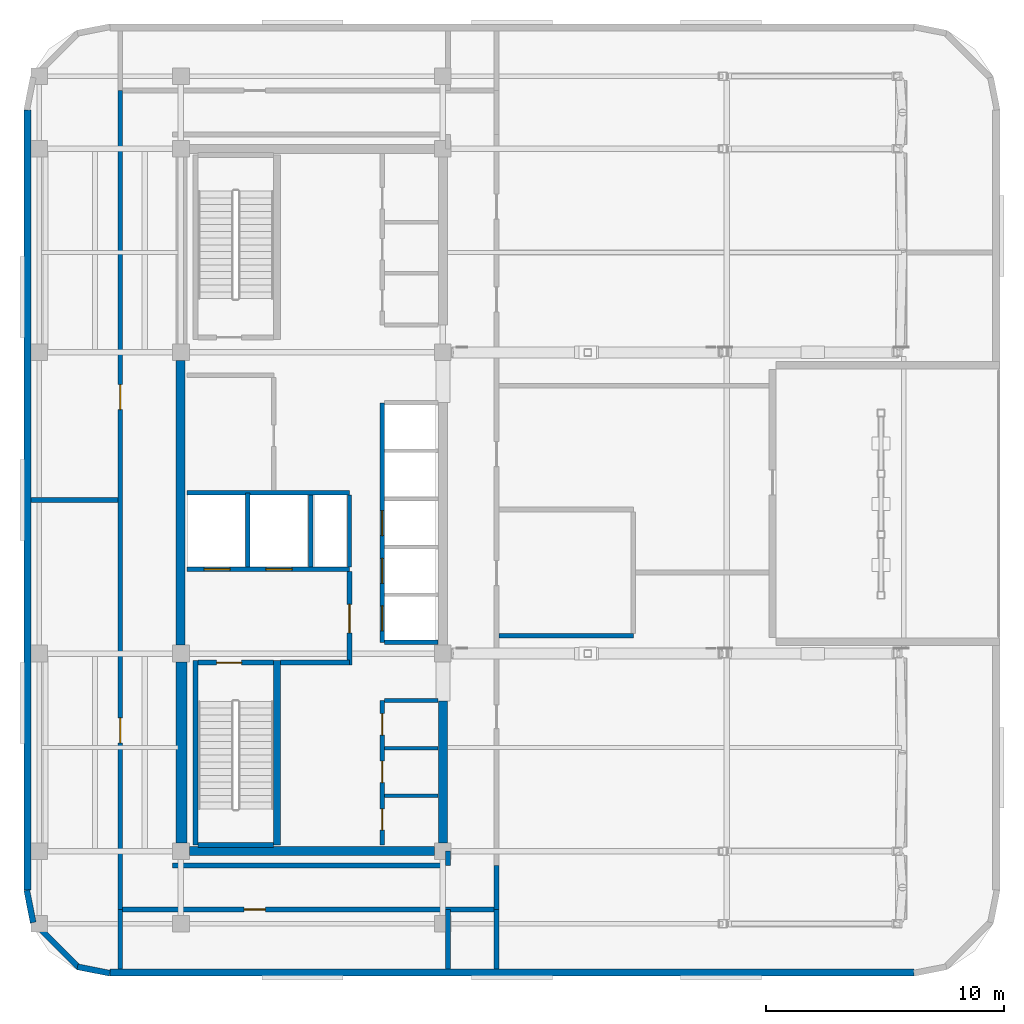
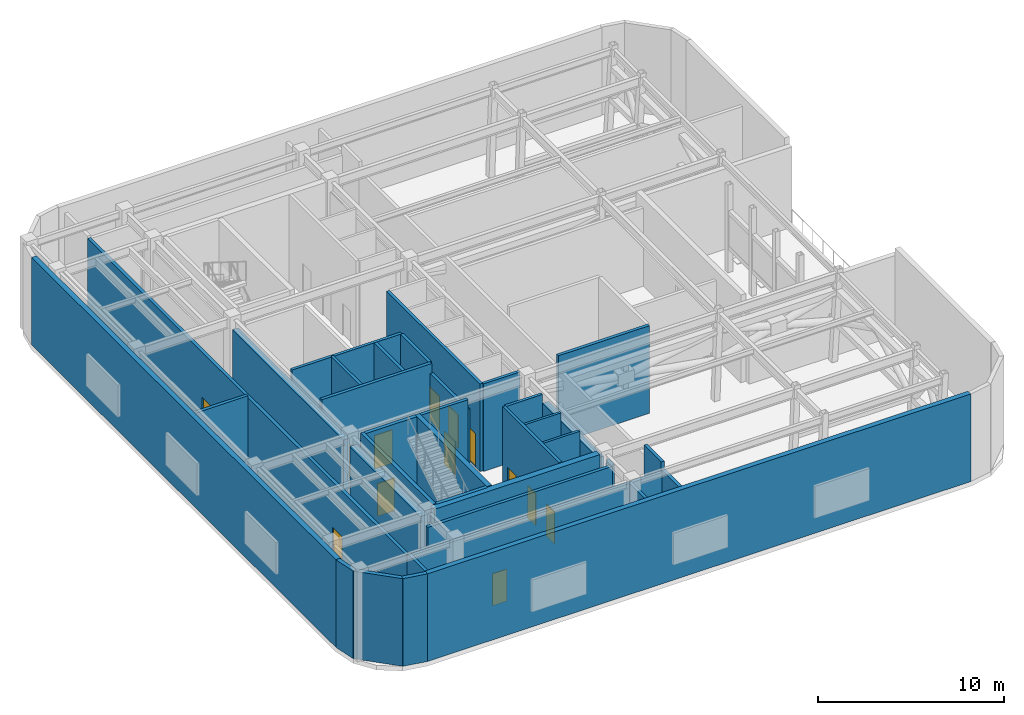
# One storey, part 6 of 12: 36 walls, 13 doors, 13 openings.
"""IFC4 building model written with IfcOpenShell, lengths in metres."""

from ifc_helpers import new_model, si_unit, direction, frame, frame_2d, origin, place, context, subcontext, project, spatial, rectangle, extrude, material, layer, layer_set, type_object, element, fill, save


model = new_model("IFC4")

# Units and contexts
model_context = context("Model", 3, precision=1e-05, world=origin(), true_north=direction((0.0, 1.0)))
body_context = subcontext(model_context, "Body", "Model", "MODEL_VIEW")
ifc_project = project(units=[si_unit("LENGTHUNIT", "METRE"), si_unit("AREAUNIT", "SQUARE_METRE"), si_unit("VOLUMEUNIT", "CUBIC_METRE"), si_unit("PLANEANGLEUNIT", "RADIAN"), si_unit("MASSUNIT", "GRAM", prefix="KILO")], contexts=[model_context])

# Site, building, storey
site_placement = place(None, origin())
site = spatial("IfcSite", under=ifc_project, at=site_placement, CompositionType="ELEMENT")
building_placement = place(site_placement, origin())
building = spatial("IfcBuilding", under=site, at=building_placement, Name="Ochreholt Gables", CompositionType="ELEMENT")
storey_placement = place(building_placement, frame((0.0, 0.0, 199.800048828125)))
storey = spatial("IfcBuildingStorey", under=building, at=storey_placement, Name="L52", CompositionType="ELEMENT", Elevation=199.800048828125)

# Walls
ifc_material_1 = material(Name="Concrete 50 MPa", Category="concrete")
ifc_layer_1 = layer(ifc_material_1, 0.3798828125, Name="Concrete 50 MPa")
ifc_layer_set_1 = layer_set([ifc_layer_1], Name="Concrete 50 MPa")
wall_type_1 = type_object("IfcWallType", Name="WALL-CSW-380", PredefinedType="SHEAR", material=ifc_layer_set_1)
wall_1_placement = place(storey_placement, frame((24.18994140625, 17.89990234375, 0.0), z_axis=(0.0, 0.0, 1.0), x_axis=(0.0, 1.0, 0.0)))
element("IfcWall", 1, at=wall_1_placement, inside=storey, type_object=wall_type_1, Name="L52 Core West Shear Wall WM", PredefinedType="SHEAR", context=body_context, shape_type="SweptSolid", body=[
    extrude(rectangle(XDim=11.9501953125, YDim=0.3798828125, at=frame_2d((5.97509765625, 0.0))), origin(), (0.0, 0.0, 1.0), 5.14794921875),
])
wall_2_placement = place(storey_placement, frame((35.2099609375, 9.60009765625, 0.0), z_axis=(0.0, 0.0, 1.0), x_axis=(0.0, 1.0, 0.0)))
element("IfcWall", 2, at=wall_2_placement, inside=storey, type_object=wall_type_1, Name="L52 Core South-East Shear Wall", PredefinedType="SHEAR", context=body_context, shape_type="SweptSolid", body=[
    extrude(rectangle(XDim=5.949951171875, YDim=0.3798828125, at=frame_2d((2.97509765625, 0.0))), origin(), (0.0, 0.0, 1.0), 5.14794921875),
])
wall_3_placement = place(storey_placement, frame((24.550048828125, 9.25, 0.0), z_axis=(0.0, 0.0, 1.0), x_axis=(1.0, 0.0, 0.0)))
element("IfcWall", 3, at=wall_3_placement, inside=storey, type_object=wall_type_1, Name="L52 Core South Shear Wall", PredefinedType="SHEAR", context=body_context, shape_type="SweptSolid", body=[
    extrude(rectangle(XDim=10.300048828125, YDim=0.3798828125, at=frame_2d((5.14990234375, 0.0))), origin(), (0.0, 0.0, 1.0), 5.760009765625),
])
ifc_material_2 = material(Name="Concrete 60 MPa", Category="concrete")
ifc_layer_2 = layer(ifc_material_2, 0.449951171875, Name="Concrete 60 MPa")
ifc_layer_set_2 = layer_set([ifc_layer_2], Name="Concrete 60 MPa")
wall_type_2 = type_object("IfcWallType", Name="WALL-CSW-450", PredefinedType="SHEAR", material=ifc_layer_set_2)
wall_4_placement = place(storey_placement, frame((24.22509765625, 9.60009765625, 0.0), z_axis=(0.0, 0.0, 1.0), x_axis=(0.0, 1.0, 0.0)))
element("IfcWall", 4, at=wall_4_placement, inside=storey, type_object=wall_type_2, Name="L52 Core West Shear Wall WS", PredefinedType="SHEAR", context=body_context, shape_type="SweptSolid", body=[
    extrude(rectangle(XDim=7.599853515625, YDim=0.449951171875, at=frame_2d((3.7998046875, 0.0))), origin(), (0.0, 0.0, 1.0), 5.14794921875),
])
ifc_material_3 = material(Name="Precast concrete 40 MPa", Category="concrete")
ifc_layer_3 = layer(ifc_material_3, 0.25, Name="Precast concrete 40 MPa")
ifc_layer_set_3 = layer_set([ifc_layer_3], Name="Precast concrete 40 MPa")
wall_type_3 = type_object("IfcWallType", Name="WALL-EXT-CNR", PredefinedType="SOLIDWALL", material=ifc_layer_set_3)
wall_5_placement = place(storey_placement, frame((17.72412109375, 7.616455078125, 0.0), z_axis=(0.0, 0.0, 1.0), x_axis=(0.195135625965, -0.9807762678, 0.0)))
element("IfcWall", 5, at=wall_5_placement, inside=storey, type_object=wall_type_3, Name="L52 Rounded Corner Wall SW-1", PredefinedType="SOLIDWALL", context=body_context, shape_type="SweptSolid", body=[
    extrude(rectangle(XDim=1.388671875, YDim=0.25, at=frame_2d((0.6943359375, 0.0))), origin(), (0.0, 0.0, 1.0), 5.760009765625),
])
wall_6_placement = place(storey_placement, frame((17.968017578125, 6.304931640625, 0.0), z_axis=(0.0, 0.0, 1.0), x_axis=(0.707106781187, -0.707106781187, 0.0)))
element("IfcWall", 6, at=wall_6_placement, inside=storey, type_object=wall_type_3, Name="L52 Rounded Corner Wall SW-2", PredefinedType="SOLIDWALL", context=body_context, shape_type="SweptSolid", body=[
    extrude(rectangle(XDim=2.7392578125, YDim=0.25, at=frame_2d((1.36962890625, 0.0))), origin(), (0.0, 0.0, 1.0), 5.760009765625),
])
wall_7_placement = place(storey_placement, frame((19.8544921875, 4.39501953125, 0.0), z_axis=(0.0, 0.0, 1.0), x_axis=(0.980809899341, -0.19496651342, 0.0)))
element("IfcWall", 7, at=wall_7_placement, inside=storey, type_object=wall_type_3, Name="L52 Rounded Corner Wall SW-3", PredefinedType="SOLIDWALL", context=body_context, shape_type="SweptSolid", body=[
    extrude(rectangle(XDim=1.388671875, YDim=0.25, at=frame_2d((0.6943359375, 0.0))), origin(), (0.0, 0.0, 1.0), 5.760009765625),
])
ifc_material_4 = material(Name="Precast concrete 50 MPa", Category="concrete")
ifc_layer_4 = layer(ifc_material_4, 0.31005859375, Name="Precast concrete 50 MPa")
ifc_layer_set_4 = layer_set([ifc_layer_4], Name="Precast concrete 50 MPa")
wall_type_4 = type_object("IfcWallType", Name="WALL-EXT-PLT", PredefinedType="SOLIDWALL", material=ifc_layer_set_4)
wall_8_placement = place(storey_placement, frame((21.219970703125, 4.155029296875, 0.0), z_axis=(0.0, 0.0, 1.0), x_axis=(1.0, 0.0, 0.0)))
element("IfcWall", 8, at=wall_8_placement, inside=storey, type_object=wall_type_4, Name="L52 South Plant Facade Wall", PredefinedType="SOLIDWALL", context=body_context, shape_type="SweptSolid", body=[
    extrude(rectangle(XDim=33.760009765625, YDim=0.31005859375, at=frame_2d((16.8798828125, 0.0))), origin(), (0.0, 0.0, 1.0), 5.760009765625),
])
wall_9_placement = place(storey_placement, frame((17.7548828125, 40.3798828125, 0.0), z_axis=(0.0, 0.0, 1.0), x_axis=(0.0, -1.0, 0.0)))
element("IfcWall", 9, at=wall_9_placement, inside=storey, type_object=wall_type_4, Name="L52 West Plant Facade Wall", PredefinedType="SOLIDWALL", context=body_context, shape_type="SweptSolid", body=[
    extrude(rectangle(XDim=32.759765625, YDim=0.31005859375, at=frame_2d((16.3798828125, 0.0))), origin(), (0.0, 0.0, 1.0), 5.760009765625),
])

# Wall, openings, doors
ifc_material_5 = material(Name="Concrete 40 MPa", Category="concrete")
ifc_layer_5 = layer(ifc_material_5, 0.199951171875, Name="Concrete 40 MPa")
ifc_layer_set_5 = layer_set([ifc_layer_5], Name="Concrete 40 MPa")
wall_type_5 = type_object("IfcWallType", Name="WALL-INT-CF200", PredefinedType="STANDARD", material=ifc_layer_set_5)
wall_10_placement = place(storey_placement, frame((24.449951171875, 21.090087890625, 0.0), z_axis=(0.0, 0.0, 1.0), x_axis=(1.0, 0.0, 0.0)))
wall_10 = element("IfcWall", 10, at=wall_10_placement, inside=storey, type_object=wall_type_5, Name="L52 Interior Wall WI-FFN-L52", PredefinedType="STANDARD", context=body_context, shape_type="SweptSolid", body=[
    extrude(rectangle(XDim=6.830078125, YDim=0.199951171875, at=frame_2d((3.4150390625, 0.0))), origin(), (0.0, 0.0, 1.0), 5.760009765625),
])
opening_1_placement = place(wall_10_placement, frame((0.719970703125, 0.0, 0.0)))
opening_1 = element("IfcOpeningElement", 11, at=opening_1_placement, cuts=wall_10, Name="Opening LD-FF", PredefinedType="OPENING", context=body_context, shape_type="SweptSolid", body=[
    extrude(rectangle(XDim=1.10009765625, YDim=2.199951171875, at=frame_2d((0.550048828125, 1.10009765625))), frame((0.0, 0.10986328125, 0.0), z_axis=(0.0, -1.0, 0.0), x_axis=(1.0, 0.0, 0.0)), (0.0, 0.0, 1.0), 0.219970703125),
])
opening_2_placement = place(wall_10_placement, frame((3.320068359375, 0.0, 0.0)))
opening_2 = element("IfcOpeningElement", 12, at=opening_2_placement, cuts=wall_10, Name="Opening LD-FF", PredefinedType="OPENING", context=body_context, shape_type="SweptSolid", body=[
    extrude(rectangle(XDim=1.10009765625, YDim=2.199951171875, at=frame_2d((0.550048828125, 1.10009765625))), frame((0.0, 0.10986328125, 0.0), z_axis=(0.0, -1.0, 0.0), x_axis=(1.0, 0.0, 0.0)), (0.0, 0.0, 1.0), 0.219970703125),
])
ifc_material_6 = material(Name="Stainless Steel", Category="steel")
door_type_1 = type_object("IfcDoorType", Name="DR-LFT-FF1100", OperationType="NOTDEFINED", PredefinedType="DOOR", material=ifc_material_6)
door_1_placement = place(opening_1_placement, origin())
door_1 = element("IfcDoor", 13, at=door_1_placement, inside=storey, type_object=door_type_1, Name="L52 Door LD-FF1-L52", OperationType="SLIDING_TO_LEFT", OverallHeight=2.199951171875, OverallWidth=1.10009765625, PredefinedType="DOOR", context=body_context, shape_type="SweptSolid", body=[
    extrude(rectangle(XDim=1.10009765625, YDim=2.199951171875, at=frame_2d((0.550048828125, 1.10009765625))), frame((0.0, 0.02490234375, 0.0), z_axis=(0.0, -1.0, 0.0), x_axis=(1.0, 0.0, 0.0)), (0.0, 0.0, 1.0), 0.050048828125),
])
fill(opening_1, door_1)
door_2_placement = place(opening_2_placement, origin())
door_2 = element("IfcDoor", 14, at=door_2_placement, inside=storey, type_object=door_type_1, Name="L52 Door LD-FF2-L52", OperationType="SLIDING_TO_LEFT", OverallHeight=2.199951171875, OverallWidth=1.10009765625, PredefinedType="DOOR", context=body_context, shape_type="SweptSolid", body=[
    extrude(rectangle(XDim=1.10009765625, YDim=2.199951171875, at=frame_2d((0.550048828125, 1.10009765625))), frame((0.0, 0.02490234375, 0.0), z_axis=(0.0, -1.0, 0.0), x_axis=(1.0, 0.0, 0.0)), (0.0, 0.0, 1.0), 0.050048828125),
])
fill(opening_2, door_2)

# Wall
wall_11_placement = place(storey_placement, frame((28.3798828125, 17.169921875, 0.0), z_axis=(0.0, 0.0, 1.0), x_axis=(1.0, 0.0, 0.0)))
element("IfcWall", 15, at=wall_11_placement, inside=storey, type_object=wall_type_5, Name="L52 Interior Wall WI-FFS-L52", PredefinedType="STANDARD", context=body_context, shape_type="SweptSolid", body=[
    extrude(rectangle(XDim=2.900146484375, YDim=0.199951171875, at=frame_2d((1.4501953125, 0.0))), origin(), (0.0, 0.0, 1.0), 5.760009765625),
])

# Wall, opening, door
wall_12_placement = place(storey_placement, frame((31.280029296875, 17.070068359375, 0.0), z_axis=(0.0, 0.0, 1.0), x_axis=(0.0, 1.0, 0.0)))
wall_12 = element("IfcWall", 16, at=wall_12_placement, inside=storey, type_object=wall_type_5, Name="L52 Interior Wall WI-FFE-L52", PredefinedType="STANDARD", context=body_context, shape_type="SweptSolid", body=[
    extrude(rectangle(XDim=3.919921875, YDim=0.199951171875, at=frame_2d((1.9599609375, 0.0))), origin(), (0.0, 0.0, 1.0), 5.1298828125),
])
opening_3_placement = place(wall_12_placement, frame((1.35009765625, 0.0, 0.0)))
opening_3 = element("IfcOpeningElement", 17, at=opening_3_placement, cuts=wall_12, Name="Opening D-FFL", PredefinedType="OPENING", context=body_context, shape_type="SweptSolid", body=[
    extrude(rectangle(XDim=1.199951171875, YDim=2.14990234375, at=frame_2d((0.60009765625, 1.074951171875))), frame((0.0, 0.10986328125, 0.0), z_axis=(0.0, -1.0, 0.0), x_axis=(1.0, 0.0, 0.0)), (0.0, 0.0, 1.0), 0.219970703125),
])
ifc_material_7 = material(Name="Hollow Metal Steel", Category="steel")
door_type_2 = type_object("IfcDoorType", Name="DR-INT-FFL1200", OperationType="NOTDEFINED", PredefinedType="DOOR", material=ifc_material_7)
door_3_placement = place(opening_3_placement, origin())
door_3 = element("IfcDoor", 18, at=door_3_placement, inside=storey, type_object=door_type_2, Name="L52 Door D-FFL-L52", OperationType="SINGLE_SWING_LEFT", OverallHeight=2.14990234375, OverallWidth=1.199951171875, PredefinedType="DOOR", context=body_context, shape_type="SweptSolid", body=[
    extrude(rectangle(XDim=1.199951171875, YDim=2.14990234375, at=frame_2d((0.60009765625, 1.074951171875))), frame((0.0, 0.02490234375, 0.0), z_axis=(0.0, -1.0, 0.0), x_axis=(1.0, 0.0, 0.0)), (0.0, 0.0, 1.0), 0.050048828125),
])
fill(opening_3, door_3)

# Walls
wall_13_placement = place(storey_placement, frame((37.449951171875, 6.800048828125, 0.0), z_axis=(0.0, 0.0, 1.0), x_axis=(0.0, 1.0, 0.0)))
element("IfcWall", 19, at=wall_13_placement, inside=storey, type_object=wall_type_5, Name="L52 Interior Wall WI-PLCES0-L52", PredefinedType="STANDARD", context=body_context, shape_type="SweptSolid", body=[
    extrude(rectangle(XDim=1.849853515625, YDim=0.199951171875, at=frame_2d((0.9248046875, 0.0))), origin(), (0.0, 0.0, 1.0), 5.760009765625),
])
wall_14_placement = place(storey_placement, frame((37.449951171875, 4.31005859375, 0.0), z_axis=(0.0, 0.0, 1.0), x_axis=(0.0, 1.0, 0.0)))
element("IfcWall", 20, at=wall_14_placement, inside=storey, type_object=wall_type_5, Name="L52 Interior Wall WI-PLCES1-L52", PredefinedType="STANDARD", context=body_context, shape_type="SweptSolid", body=[
    extrude(rectangle(XDim=2.489990234375, YDim=0.199951171875, at=frame_2d((1.2451171875, 0.0))), origin(), (0.0, 0.0, 1.0), 5.279052734375),
])
wall_15_placement = place(storey_placement, frame((35.419921875, 4.31005859375, 0.0), z_axis=(0.0, 0.0, 1.0), x_axis=(0.0, 1.0, 0.0)))
element("IfcWall", 21, at=wall_15_placement, inside=storey, type_object=wall_type_5, Name="L52 Interior Wall WI-PLCSW0-L52", PredefinedType="STANDARD", context=body_context, shape_type="SweptSolid", body=[
    extrude(rectangle(XDim=2.489990234375, YDim=0.199951171875, at=frame_2d((1.2451171875, 0.0))), origin(), (0.0, 0.0, 1.0), 5.1298828125),
])
wall_16_placement = place(storey_placement, frame((35.419921875, 8.64990234375, 0.0), z_axis=(0.0, 0.0, 1.0), x_axis=(0.0, 1.0, 0.0)))
element("IfcWall", 22, at=wall_16_placement, inside=storey, type_object=wall_type_5, Name="L52 Interior Wall WI-PLCSW1-L52", PredefinedType="STANDARD", context=body_context, shape_type="SweptSolid", body=[
    extrude(rectangle(XDim=0.60009765625, YDim=0.199951171875, at=frame_2d((0.300048828125, 0.0))), origin(), (0.0, 0.0, 1.0), 5.1298828125),
])
wall_17_placement = place(storey_placement, frame((37.550048828125, 18.300048828125, 0.0), z_axis=(0.0, 0.0, 1.0), x_axis=(1.0, 0.0, 0.0)))
element("IfcWall", 23, at=wall_17_placement, inside=storey, type_object=wall_type_5, Name="L52 Interior Wall WI-PLRFS-L52", PredefinedType="STANDARD", context=body_context, shape_type="SweptSolid", body=[
    extrude(rectangle(XDim=5.64990234375, YDim=0.199951171875, at=frame_2d((2.824951171875, 0.0))), origin(), (0.0, 0.0, 1.0), 5.760009765625),
])

# Wall, openings, doors
wall_18_placement = place(storey_placement, frame((21.64990234375, 6.800048828125, 0.0), z_axis=(0.0, 0.0, 1.0), x_axis=(0.0, 1.0, 0.0)))
wall_18 = element("IfcWall", 24, at=wall_18_placement, inside=storey, type_object=wall_type_5, Name="L52 Interior Wall WI-PLCW-L52", PredefinedType="STANDARD", context=body_context, shape_type="SweptSolid", body=[
    extrude(rectangle(XDim=34.39990234375, YDim=0.199951171875, at=frame_2d((17.199951171875, 0.0))), origin(), (0.0, 0.0, 1.0), 5.1298828125),
])
opening_4_placement = place(wall_18_placement, frame((7.0, 0.0, 0.0)))
opening_4 = element("IfcOpeningElement", 25, at=opening_4_placement, cuts=wall_18, Name="Opening D-SV4", PredefinedType="OPENING", context=body_context, shape_type="SweptSolid", body=[
    extrude(rectangle(XDim=1.050048828125, YDim=2.14990234375, at=frame_2d((0.52490234375, 1.074951171875))), frame((0.0, 0.10986328125, 0.0), z_axis=(0.0, -1.0, 0.0), x_axis=(1.0, 0.0, 0.0)), (0.0, 0.0, 1.0), 0.219970703125),
])
opening_5_placement = place(wall_18_placement, frame((21.0, 0.0, 0.0)))
opening_5 = element("IfcOpeningElement", 26, at=opening_5_placement, cuts=wall_18, Name="Opening D-SV4", PredefinedType="OPENING", context=body_context, shape_type="SweptSolid", body=[
    extrude(rectangle(XDim=1.050048828125, YDim=2.14990234375, at=frame_2d((0.52490234375, 1.074951171875))), frame((0.0, 0.10986328125, 0.0), z_axis=(0.0, -1.0, 0.0), x_axis=(1.0, 0.0, 0.0)), (0.0, 0.0, 1.0), 0.219970703125),
])
door_type_3 = type_object("IfcDoorType", Name="DR-INT-SRV1050", OperationType="NOTDEFINED", PredefinedType="DOOR", material=ifc_material_7)
door_4_placement = place(opening_4_placement, origin())
door_4 = element("IfcDoor", 27, at=door_4_placement, inside=storey, type_object=door_type_3, Name="L52 Door D-PLW1-L52", OperationType="SINGLE_SWING_LEFT", OverallHeight=2.14990234375, OverallWidth=1.050048828125, PredefinedType="DOOR", context=body_context, shape_type="SweptSolid", body=[
    extrude(rectangle(XDim=1.050048828125, YDim=2.14990234375, at=frame_2d((0.52490234375, 1.074951171875))), frame((0.0, 0.02490234375, 0.0), z_axis=(0.0, -1.0, 0.0), x_axis=(1.0, 0.0, 0.0)), (0.0, 0.0, 1.0), 0.050048828125),
])
fill(opening_4, door_4)
door_5_placement = place(opening_5_placement, origin())
door_5 = element("IfcDoor", 28, at=door_5_placement, inside=storey, type_object=door_type_3, Name="L52 Door D-PLW2-L52", OperationType="SINGLE_SWING_RIGHT", OverallHeight=2.14990234375, OverallWidth=1.050048828125, PredefinedType="DOOR", context=body_context, shape_type="SweptSolid", body=[
    extrude(rectangle(XDim=1.050048828125, YDim=2.14990234375, at=frame_2d((0.52490234375, 1.074951171875))), frame((0.0, 0.02490234375, 0.0), z_axis=(0.0, -1.0, 0.0), x_axis=(1.0, 0.0, 0.0)), (0.0, 0.0, 1.0), 0.050048828125),
])
fill(opening_5, door_5)

# Wall, opening, door
wall_19_placement = place(storey_placement, frame((21.75, 6.800048828125, 0.0), z_axis=(0.0, 0.0, 1.0), x_axis=(1.0, 0.0, 0.0)))
wall_19 = element("IfcWall", 29, at=wall_19_placement, inside=storey, type_object=wall_type_5, Name="L52 Interior Wall WI-PLCS-L52", PredefinedType="STANDARD", context=body_context, shape_type="SweptSolid", body=[
    extrude(rectangle(XDim=15.60009765625, YDim=0.199951171875, at=frame_2d((7.800048828125, 0.0))), origin(), (0.0, 0.0, 1.0), 5.1298828125),
])
opening_6_placement = place(wall_19_placement, frame((5.10009765625, 0.0, 0.0)))
opening_6 = element("IfcOpeningElement", 30, at=opening_6_placement, cuts=wall_19, Name="Opening D-SV1", PredefinedType="OPENING", context=body_context, shape_type="SweptSolid", body=[
    extrude(rectangle(XDim=0.89990234375, YDim=2.10009765625, at=frame_2d((0.449951171875, 1.050048828125))), frame((0.0, 0.10986328125, 0.0), z_axis=(0.0, -1.0, 0.0), x_axis=(1.0, 0.0, 0.0)), (0.0, 0.0, 1.0), 0.219970703125),
])
door_type_4 = type_object("IfcDoorType", Name="DR-INT-SRV900", OperationType="NOTDEFINED", PredefinedType="DOOR", material=ifc_material_7)
door_6_placement = place(opening_6_placement, origin())
door_6 = element("IfcDoor", 31, at=door_6_placement, inside=storey, type_object=door_type_4, Name="L52 Door D-PLS0-L52", OperationType="SINGLE_SWING_LEFT", OverallHeight=2.10009765625, OverallWidth=0.89990234375, PredefinedType="DOOR", context=body_context, shape_type="SweptSolid", body=[
    extrude(rectangle(XDim=0.89990234375, YDim=2.10009765625, at=frame_2d((0.449951171875, 1.050048828125))), frame((0.0, 0.02490234375, 0.0), z_axis=(0.0, -1.0, 0.0), x_axis=(1.0, 0.0, 0.0)), (0.0, 0.0, 1.0), 0.050048828125),
])
fill(opening_6, door_6)

# Walls
wall_20_placement = place(storey_placement, frame((23.85009765625, 8.64990234375, 0.0), z_axis=(0.0, 0.0, 1.0), x_axis=(1.0, 0.0, 0.0)))
element("IfcWall", 32, at=wall_20_placement, inside=storey, type_object=wall_type_5, Name="L52 Interior Wall WI-PLCS2-L52", PredefinedType="STANDARD", context=body_context, shape_type="SweptSolid", body=[
    extrude(rectangle(XDim=11.469970703125, YDim=0.199951171875, at=frame_2d((5.73486328125, 0.0))), origin(), (0.0, 0.0, 1.0), 5.1298828125),
])
wall_21_placement = place(storey_placement, frame((21.64990234375, 4.31005859375, 0.0), z_axis=(0.0, 0.0, 1.0), x_axis=(0.0, 1.0, 0.0)))
element("IfcWall", 33, at=wall_21_placement, inside=storey, type_object=wall_type_5, Name="L52 Interior Wall WI-PLCWS-L52", PredefinedType="STANDARD", context=body_context, shape_type="SweptSolid", body=[
    extrude(rectangle(XDim=2.489990234375, YDim=0.199951171875, at=frame_2d((1.2451171875, 0.0))), origin(), (0.0, 0.0, 1.0), 5.279052734375),
])
wall_22_placement = place(storey_placement, frame((17.909912109375, 24.0, 0.0), z_axis=(0.0, 0.0, 1.0), x_axis=(1.0, 0.0, 0.0)))
element("IfcWall", 34, at=wall_22_placement, inside=storey, type_object=wall_type_5, Name="L52 Interior Wall WI-PLWM-L52", PredefinedType="STANDARD", context=body_context, shape_type="SweptSolid", body=[
    extrude(rectangle(XDim=3.64013671875, YDim=0.199951171875, at=frame_2d((1.820068359375, 0.0))), origin(), (0.0, 0.0, 1.0), 5.279052734375),
])
ifc_material_8 = material(Name="Gypsum Shaftliner and Steel Stud", Category="steel")
ifc_layer_6 = layer(ifc_material_8, 0.14990234375, Name="Gypsum Shaftliner and Steel Stud")
ifc_layer_set_6 = layer_set([ifc_layer_6], Name="Gypsum Shaftliner and Steel Stud")
wall_type_6 = type_object("IfcWallType", Name="WALL-INT-SH150", PredefinedType="STANDARD", material=ifc_layer_set_6)
for number, where, z_axis, x_axis, name in (
    (35, (32.739990234375, 11.570068359375, 0.0), (0.0, 0.0, 1.0), (1.0, 0.0, 0.0), "L52 Interior Wall WI-LFL-D1-L52"),
    (36, (32.739990234375, 13.570068359375, 0.0), (0.0, 0.0, 1.0), (1.0, 0.0, 0.0), "L52 Interior Wall WI-LFL-D2-L52"),
):
    element("IfcWall", number, at=place(storey_placement, frame(where, z_axis=z_axis, x_axis=x_axis)), inside=storey, type_object=wall_type_6, Name=name, PredefinedType="STANDARD", context=body_context, shape_type="SweptSolid", body=[
        extrude(rectangle(XDim=2.260009765625, YDim=0.14990234375, at=frame_2d((1.1298828125, 0.0))), origin(), (0.0, 0.0, 1.0), 5.760009765625),
    ])
ifc_layer_7 = layer(ifc_material_8, 0.179931640625, Name="Gypsum Shaftliner and Steel Stud")
ifc_layer_set_7 = layer_set([ifc_layer_7], Name="Gypsum Shaftliner and Steel Stud")
wall_type_7 = type_object("IfcWallType", Name="WALL-INT-SH180", PredefinedType="STANDARD", material=ifc_layer_set_7)
wall_23_placement = place(storey_placement, frame((27.0, 21.18994140625, 0.0), z_axis=(0.0, 0.0, 1.0), x_axis=(0.0, 1.0, 0.0)))
element("IfcWall", 37, at=wall_23_placement, inside=storey, type_object=wall_type_7, Name="L52 Interior Wall WI-FFDIV-L52", PredefinedType="STANDARD", context=body_context, shape_type="SweptSolid", body=[
    extrude(rectangle(XDim=3.110107421875, YDim=0.179931640625, at=frame_2d((1.55517578125, 0.0))), origin(), (0.0, 0.0, 1.0), 5.760009765625),
])
wall_24_placement = place(storey_placement, frame((24.449951171875, 24.300048828125, 0.0), z_axis=(0.0, 0.0, 1.0), x_axis=(1.0, 0.0, 0.0)))
element("IfcWall", 38, at=wall_24_placement, inside=storey, type_object=wall_type_7, Name="L52 Interior Wall WI-FFBK-L52", PredefinedType="STANDARD", context=body_context, shape_type="SweptSolid", body=[
    extrude(rectangle(XDim=6.830078125, YDim=0.179931640625, at=frame_2d((3.4150390625, 0.0))), origin(), (0.0, 0.0, 1.0), 5.760009765625),
])
for number, where, z_axis, x_axis, name in (
    (39, (29.64990234375, 21.18994140625, 0.0), (0.0, 0.0, 1.0), (0.0, 1.0, 0.0), "L52 Interior Wall WI-FFSH-L52"),
    (40, (31.280029296875, 21.18994140625, 0.0), (0.0, 0.0, 1.0), (0.0, 1.0, 0.0), "L52 Interior Wall WI-RSE-L52"),
):
    element("IfcWall", number, at=place(storey_placement, frame(where, z_axis=z_axis, x_axis=x_axis)), inside=storey, type_object=wall_type_7, Name=name, PredefinedType="STANDARD", context=body_context, shape_type="SweptSolid", body=[
        extrude(rectangle(XDim=3.02001953125, YDim=0.179931640625, at=frame_2d((1.510009765625, 0.0))), origin(), (0.0, 0.0, 1.0), 5.760009765625),
    ])

# Wall, openings, doors
wall_25_placement = place(storey_placement, frame((32.64990234375, 9.5, 0.0), z_axis=(0.0, 0.0, 1.0), x_axis=(0.0, 1.0, 0.0)))
wall_25 = element("IfcWall", 41, at=wall_25_placement, inside=storey, type_object=wall_type_7, Name="L52 Interior Wall WI-LFL-FR-L52", PredefinedType="STANDARD", context=body_context, shape_type="SweptSolid", body=[
    extrude(rectangle(XDim=6.080078125, YDim=0.179931640625, at=frame_2d((3.0400390625, 0.0))), origin(), (0.0, 0.0, 1.0), 5.760009765625),
])
opening_7_placement = place(wall_25_placement, frame((0.6298828125, 0.0, 0.0)))
opening_7 = element("IfcOpeningElement", 42, at=opening_7_placement, cuts=wall_25, Name="Opening D-SV1", PredefinedType="OPENING", context=body_context, shape_type="SweptSolid", body=[
    extrude(rectangle(XDim=0.89990234375, YDim=2.10009765625, at=frame_2d((0.449951171875, 1.050048828125))), frame((0.0, 0.099853515625, 0.0), z_axis=(0.0, -1.0, 0.0), x_axis=(1.0, 0.0, 0.0)), (0.0, 0.0, 1.0), 0.199951171875),
])
opening_8_placement = place(wall_25_placement, frame((2.6298828125, 0.0, 0.0)))
opening_8 = element("IfcOpeningElement", 43, at=opening_8_placement, cuts=wall_25, Name="Opening D-SV1", PredefinedType="OPENING", context=body_context, shape_type="SweptSolid", body=[
    extrude(rectangle(XDim=0.89990234375, YDim=2.10009765625, at=frame_2d((0.449951171875, 1.050048828125))), frame((0.0, 0.099853515625, 0.0), z_axis=(0.0, -1.0, 0.0), x_axis=(1.0, 0.0, 0.0)), (0.0, 0.0, 1.0), 0.199951171875),
])
opening_9_placement = place(wall_25_placement, frame((4.6298828125, 0.0, 0.0)))
opening_9 = element("IfcOpeningElement", 44, at=opening_9_placement, cuts=wall_25, Name="Opening D-SV1", PredefinedType="OPENING", context=body_context, shape_type="SweptSolid", body=[
    extrude(rectangle(XDim=0.89990234375, YDim=2.10009765625, at=frame_2d((0.449951171875, 1.050048828125))), frame((0.0, 0.099853515625, 0.0), z_axis=(0.0, -1.0, 0.0), x_axis=(1.0, 0.0, 0.0)), (0.0, 0.0, 1.0), 0.199951171875),
])
door_7_placement = place(opening_7_placement, origin())
door_7 = element("IfcDoor", 45, at=door_7_placement, inside=storey, type_object=door_type_4, Name="L52 Door D-LCST1-L52", OperationType="SINGLE_SWING_LEFT", OverallHeight=2.10009765625, OverallWidth=0.89990234375, PredefinedType="DOOR", context=body_context, shape_type="SweptSolid", body=[
    extrude(rectangle(XDim=0.89990234375, YDim=2.10009765625, at=frame_2d((0.449951171875, 1.050048828125))), frame((0.0, 0.02490234375, 0.0), z_axis=(0.0, -1.0, 0.0), x_axis=(1.0, 0.0, 0.0)), (0.0, 0.0, 1.0), 0.050048828125),
])
fill(opening_7, door_7)
door_8_placement = place(opening_8_placement, origin())
door_8 = element("IfcDoor", 46, at=door_8_placement, inside=storey, type_object=door_type_4, Name="L52 Door D-LCST2-L52", OperationType="SINGLE_SWING_LEFT", OverallHeight=2.10009765625, OverallWidth=0.89990234375, PredefinedType="DOOR", context=body_context, shape_type="SweptSolid", body=[
    extrude(rectangle(XDim=0.89990234375, YDim=2.10009765625, at=frame_2d((0.449951171875, 1.050048828125))), frame((0.0, 0.02490234375, 0.0), z_axis=(0.0, -1.0, 0.0), x_axis=(1.0, 0.0, 0.0)), (0.0, 0.0, 1.0), 0.050048828125),
])
fill(opening_8, door_8)
door_9_placement = place(opening_9_placement, origin())
door_9 = element("IfcDoor", 47, at=door_9_placement, inside=storey, type_object=door_type_4, Name="L52 Door D-LCST3-L52", OperationType="SINGLE_SWING_LEFT", OverallHeight=2.10009765625, OverallWidth=0.89990234375, PredefinedType="DOOR", context=body_context, shape_type="SweptSolid", body=[
    extrude(rectangle(XDim=0.89990234375, YDim=2.10009765625, at=frame_2d((0.449951171875, 1.050048828125))), frame((0.0, 0.02490234375, 0.0), z_axis=(0.0, -1.0, 0.0), x_axis=(1.0, 0.0, 0.0)), (0.0, 0.0, 1.0), 0.050048828125),
])
fill(opening_9, door_9)

# Wall
wall_26_placement = place(storey_placement, frame((32.739990234375, 15.580078125, 0.0), z_axis=(0.0, 0.0, 1.0), x_axis=(1.0, 0.0, 0.0)))
element("IfcWall", 48, at=wall_26_placement, inside=storey, type_object=wall_type_7, Name="L52 Interior Wall WI-LFL-N-L52", PredefinedType="STANDARD", context=body_context, shape_type="SweptSolid", body=[
    extrude(rectangle(XDim=2.260009765625, YDim=0.179931640625, at=frame_2d((1.1298828125, 0.0))), origin(), (0.0, 0.0, 1.0), 5.760009765625),
])

# Wall, openings, doors
wall_27_placement = place(storey_placement, frame((32.64990234375, 18.02001953125, 0.0), z_axis=(0.0, 0.0, 1.0), x_axis=(0.0, 1.0, 0.0)))
wall_27 = element("IfcWall", 49, at=wall_27_placement, inside=storey, type_object=wall_type_7, Name="L52 Interior Wall WI-LFHE-FR-L52", PredefinedType="STANDARD", context=body_context, shape_type="SweptSolid", body=[
    extrude(rectangle(XDim=10.06005859375, YDim=0.179931640625, at=frame_2d((5.030029296875, 0.0))), origin(), (0.0, 0.0, 1.0), 5.760009765625),
])
opening_10_placement = place(wall_27_placement, frame((0.47998046875, 0.0, 0.0)))
opening_10 = element("IfcOpeningElement", 50, at=opening_10_placement, cuts=wall_27, Name="Opening LD-PX", PredefinedType="OPENING", context=body_context, shape_type="SweptSolid", body=[
    extrude(rectangle(XDim=1.050048828125, YDim=2.199951171875, at=frame_2d((0.52490234375, 1.10009765625))), frame((0.0, 0.099853515625, 0.0), z_axis=(0.0, -1.0, 0.0), x_axis=(1.0, 0.0, 0.0)), (0.0, 0.0, 1.0), 0.199951171875),
])
opening_11_placement = place(wall_27_placement, frame((2.47998046875, 0.0, 0.0)))
opening_11 = element("IfcOpeningElement", 51, at=opening_11_placement, cuts=wall_27, Name="Opening LD-PX", PredefinedType="OPENING", context=body_context, shape_type="SweptSolid", body=[
    extrude(rectangle(XDim=1.050048828125, YDim=2.199951171875, at=frame_2d((0.52490234375, 1.10009765625))), frame((0.0, 0.099853515625, 0.0), z_axis=(0.0, -1.0, 0.0), x_axis=(1.0, 0.0, 0.0)), (0.0, 0.0, 1.0), 0.199951171875),
])
opening_12_placement = place(wall_27_placement, frame((4.47998046875, 0.0, 0.0)))
opening_12 = element("IfcOpeningElement", 52, at=opening_12_placement, cuts=wall_27, Name="Opening LD-PX", PredefinedType="OPENING", context=body_context, shape_type="SweptSolid", body=[
    extrude(rectangle(XDim=1.050048828125, YDim=2.199951171875, at=frame_2d((0.52490234375, 1.10009765625))), frame((0.0, 0.099853515625, 0.0), z_axis=(0.0, -1.0, 0.0), x_axis=(1.0, 0.0, 0.0)), (0.0, 0.0, 1.0), 0.199951171875),
])
door_type_5 = type_object("IfcDoorType", Name="DR-LFT-PX1050", OperationType="NOTDEFINED", PredefinedType="DOOR", material=ifc_material_6)
door_10_placement = place(opening_10_placement, origin())
door_10 = element("IfcDoor", 53, at=door_10_placement, inside=storey, type_object=door_type_5, Name="L52 Door LD-LF-H1-L52", OperationType="SLIDING_TO_LEFT", OverallHeight=2.199951171875, OverallWidth=1.050048828125, PredefinedType="DOOR", context=body_context, shape_type="SweptSolid", body=[
    extrude(rectangle(XDim=1.050048828125, YDim=2.199951171875, at=frame_2d((0.52490234375, 1.10009765625))), frame((0.0, 0.02490234375, 0.0), z_axis=(0.0, -1.0, 0.0), x_axis=(1.0, 0.0, 0.0)), (0.0, 0.0, 1.0), 0.050048828125),
])
fill(opening_10, door_10)
door_11_placement = place(opening_11_placement, origin())
door_11 = element("IfcDoor", 54, at=door_11_placement, inside=storey, type_object=door_type_5, Name="L52 Door LD-LF-H2-L52", OperationType="SLIDING_TO_LEFT", OverallHeight=2.199951171875, OverallWidth=1.050048828125, PredefinedType="DOOR", context=body_context, shape_type="SweptSolid", body=[
    extrude(rectangle(XDim=1.050048828125, YDim=2.199951171875, at=frame_2d((0.52490234375, 1.10009765625))), frame((0.0, 0.02490234375, 0.0), z_axis=(0.0, -1.0, 0.0), x_axis=(1.0, 0.0, 0.0)), (0.0, 0.0, 1.0), 0.050048828125),
])
fill(opening_11, door_11)
door_12_placement = place(opening_12_placement, origin())
door_12 = element("IfcDoor", 55, at=door_12_placement, inside=storey, type_object=door_type_5, Name="L52 Door LD-LF-H3-L52", OperationType="SLIDING_TO_LEFT", OverallHeight=2.199951171875, OverallWidth=1.050048828125, PredefinedType="DOOR", context=body_context, shape_type="SweptSolid", body=[
    extrude(rectangle(XDim=1.050048828125, YDim=2.199951171875, at=frame_2d((0.52490234375, 1.10009765625))), frame((0.0, 0.02490234375, 0.0), z_axis=(0.0, -1.0, 0.0), x_axis=(1.0, 0.0, 0.0)), (0.0, 0.0, 1.0), 0.050048828125),
])
fill(opening_12, door_12)

# Walls
wall_28_placement = place(storey_placement, frame((32.739990234375, 18.02001953125, 0.0), z_axis=(0.0, 0.0, 1.0), x_axis=(1.0, 0.0, 0.0)))
element("IfcWall", 56, at=wall_28_placement, inside=storey, type_object=wall_type_7, Name="L52 Interior Wall WI-LFHE-S-L52", PredefinedType="STANDARD", context=body_context, shape_type="SweptSolid", body=[
    extrude(rectangle(XDim=2.260009765625, YDim=0.179931640625, at=frame_2d((1.1298828125, 0.0))), origin(), (0.0, 0.0, 1.0), 5.760009765625),
])
ifc_layer_8 = layer(ifc_material_2, 0.300048828125, Name="Concrete 60 MPa")
ifc_layer_set_8 = layer_set([ifc_layer_8], Name="Concrete 60 MPa")
wall_type_8 = type_object("IfcWallType", Name="WALL-SPN-300", PredefinedType="SHEAR", material=ifc_layer_set_8)
wall_29_placement = place(storey_placement, frame((28.22998046875, 9.5, 0.0), z_axis=(0.0, 0.0, 1.0), x_axis=(0.0, 1.0, 0.0)))
element("IfcWall", 57, at=wall_29_placement, inside=storey, type_object=wall_type_8, Name="L52 Core South Spine Shear Wall", PredefinedType="SHEAR", context=body_context, shape_type="SweptSolid", body=[
    extrude(rectangle(XDim=7.760009765625, YDim=0.300048828125, at=frame_2d((3.8798828125, 0.0))), origin(), (0.0, 0.0, 1.0), 5.760009765625),
])
ifc_layer_9 = layer(ifc_material_1, 0.219970703125, Name="Concrete 50 MPa")
ifc_layer_set_9 = layer_set([ifc_layer_9], Name="Concrete 50 MPa")
wall_type_9 = type_object("IfcWallType", Name="WALL-STW-220", PredefinedType="SHEAR", material=ifc_layer_set_9)
wall_30_placement = place(storey_placement, frame((24.81005859375, 9.5, 0.0), z_axis=(0.0, 0.0, 1.0), x_axis=(0.0, 1.0, 0.0)))
element("IfcWall", 58, at=wall_30_placement, inside=storey, type_object=wall_type_9, Name="L52 Exit Stair 1 West Wall", PredefinedType="SHEAR", context=body_context, shape_type="SweptSolid", body=[
    extrude(rectangle(XDim=7.760009765625, YDim=0.219970703125, at=frame_2d((3.8798828125, 0.0))), origin(), (0.0, 0.0, 1.0), 5.760009765625),
])
wall_31_placement = place(storey_placement, frame((24.919921875, 9.510009765625, 0.0), z_axis=(0.0, 0.0, 1.0), x_axis=(1.0, 0.0, 0.0)))
element("IfcWall", 59, at=wall_31_placement, inside=storey, type_object=wall_type_9, Name="L52 Exit Stair 1 South Wall", PredefinedType="SHEAR", context=body_context, shape_type="SweptSolid", body=[
    extrude(rectangle(XDim=3.16015625, YDim=0.219970703125, at=frame_2d((1.580078125, 0.0))), origin(), (0.0, 0.0, 1.0), 5.760009765625),
])

# Wall, opening, door
wall_32_placement = place(storey_placement, frame((24.919921875, 17.169921875, 0.0), z_axis=(0.0, 0.0, 1.0), x_axis=(1.0, 0.0, 0.0)))
wall_32 = element("IfcWall", 60, at=wall_32_placement, inside=storey, type_object=wall_type_9, Name="L52 Exit Stair 1 North Wall", PredefinedType="SHEAR", context=body_context, shape_type="SweptSolid", body=[
    extrude(rectangle(XDim=3.16015625, YDim=0.219970703125, at=frame_2d((1.580078125, 0.0))), origin(), (0.0, 0.0, 1.0), 5.760009765625),
])
opening_13_placement = place(wall_32_placement, frame((0.780029296875, 0.0, 0.0)))
opening_13 = element("IfcOpeningElement", 61, at=opening_13_placement, cuts=wall_32, Name="Opening D-STC", PredefinedType="OPENING", context=body_context, shape_type="SweptSolid", body=[
    extrude(rectangle(XDim=1.050048828125, YDim=2.14990234375, at=frame_2d((0.52490234375, 1.074951171875))), frame((0.0, 0.119873046875, 0.0), z_axis=(0.0, -1.0, 0.0), x_axis=(1.0, 0.0, 0.0)), (0.0, 0.0, 1.0), 0.239990234375),
])
door_type_6 = type_object("IfcDoorType", Name="DR-INT-ST1050", OperationType="NOTDEFINED", PredefinedType="DOOR", material=ifc_material_7)
door_13_placement = place(opening_13_placement, frame((1.050048828125, 0.0, 0.0), z_axis=(0.0, 0.0, 1.0), x_axis=(-1.0, 0.0, 0.0)))
door_13 = element("IfcDoor", 62, at=door_13_placement, inside=storey, type_object=door_type_6, Name="L52 Door D-ST1-L52", OperationType="SINGLE_SWING_LEFT", OverallHeight=2.14990234375, OverallWidth=1.050048828125, PredefinedType="DOOR", context=body_context, shape_type="SweptSolid", body=[
    extrude(rectangle(XDim=1.050048828125, YDim=2.14990234375, at=frame_2d((0.52490234375, 1.074951171875))), frame((0.0, 0.02490234375, 0.0), z_axis=(0.0, -1.0, 0.0), x_axis=(1.0, 0.0, 0.0)), (0.0, 0.0, 1.0), 0.050048828125),
])
fill(opening_13, door_13)

save(model, "model.ifc")
